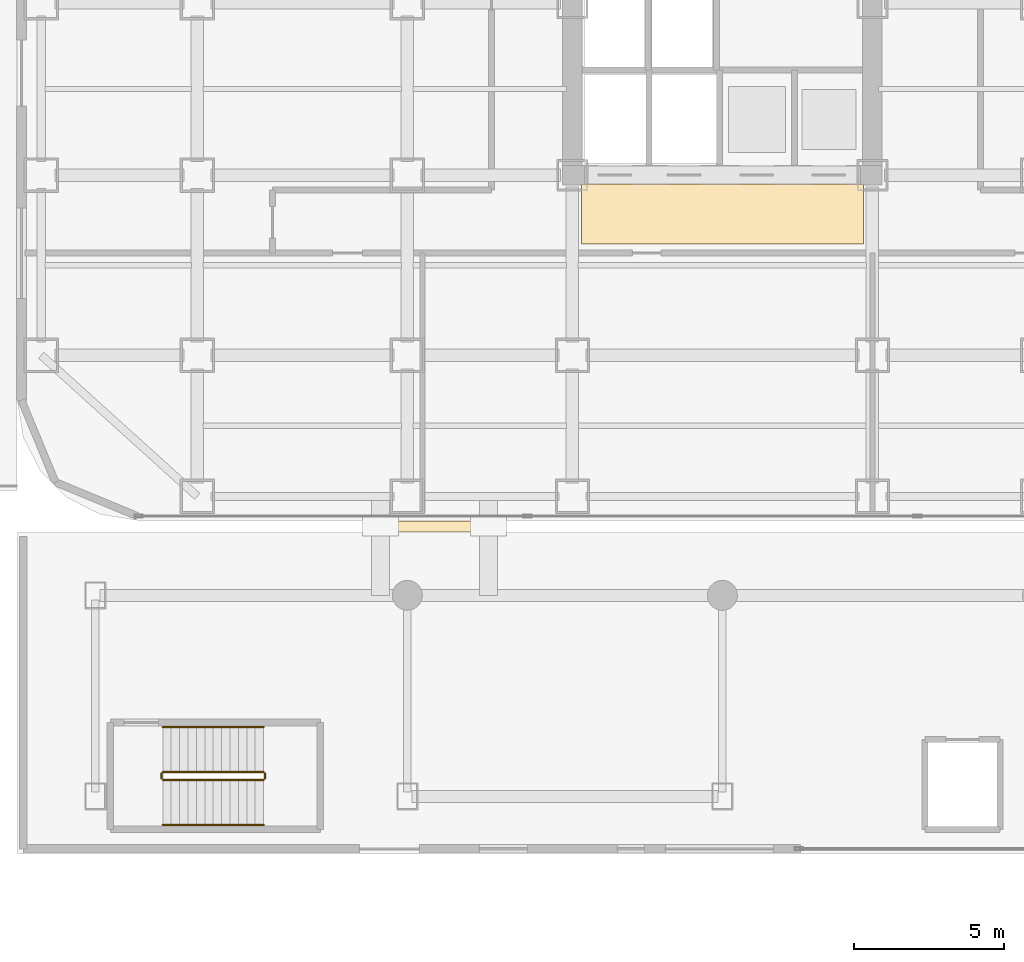
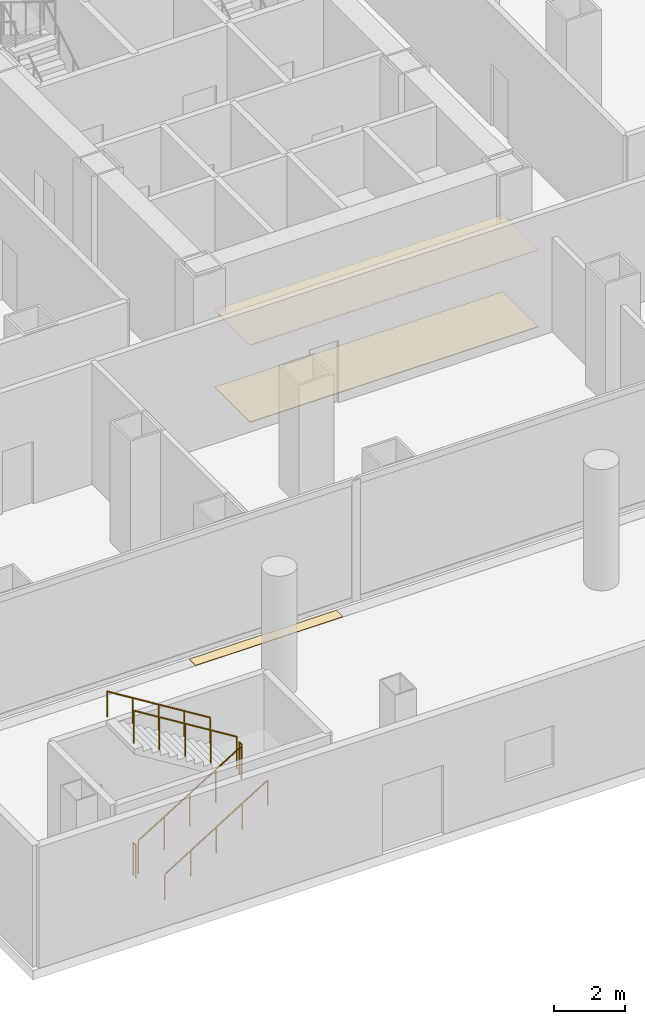
# One storey, part 25 of 31: 6 railings, 3 coverings.
"""IFC4 building model written with IfcOpenShell, lengths in metres."""

from ifc_helpers import new_model, si_unit, direction, frame, origin, origin_2d, place, context, subcontext, project, spatial, polyline, circle, outline, extrude, material, layer, layer_set, type_object, element, save


model = new_model("IFC4")

# Units and contexts
model_context = context("Model", 3, precision=1e-05, world=origin(), true_north=direction((0.0, 1.0)))
body_context = subcontext(model_context, "Body", "Model", "MODEL_VIEW")
ifc_project = project(units=[si_unit("LENGTHUNIT", "METRE"), si_unit("AREAUNIT", "SQUARE_METRE"), si_unit("VOLUMEUNIT", "CUBIC_METRE"), si_unit("PLANEANGLEUNIT", "RADIAN"), si_unit("MASSUNIT", "GRAM", prefix="KILO")], contexts=[model_context])

# Site, building, storey
site_placement = place(None, origin())
site = spatial("IfcSite", under=ifc_project, at=site_placement, CompositionType="ELEMENT")
building_placement = place(site_placement, origin())
building = spatial("IfcBuilding", under=site, at=building_placement, Name="Kolveth Station Tower", CompositionType="ELEMENT")
storey_placement = place(building_placement, origin())
storey = spatial("IfcBuildingStorey", under=building, at=storey_placement, Name="L00", CompositionType="ELEMENT", Elevation=0.0)

# Coverings
ifc_material_1 = material(Name="Acoustic mineral-fibre ceiling tile")
ifc_layer_1 = layer(ifc_material_1, 0.02490234375)
ifc_layer_set_1 = layer_set([ifc_layer_1], Name="Acoustic mineral-fibre ceiling tile")
covering_type_1 = type_object("IfcCoveringType", Name="Ceil_CL1", PredefinedType="CEILING", material=ifc_layer_set_1)
covering_1_placement = place(storey_placement, frame((0.0, 0.0, 2.64990234375)))
element("IfcCovering", 1, at=covering_1_placement, inside=storey, type_object=covering_type_1, Name="L00 Lift Lobby Suspended Ceiling", PredefinedType="CEILING", context=body_context, shape_type="SweptSolid", body=[
    extrude(outline(polyline([(18.800048828125, 9.199951171875), (28.199951171875, 9.199951171875), (28.199951171875, 11.199951171875), (18.800048828125, 11.199951171875), (18.800048828125, 9.199951171875)])), origin(), (0.0, 0.0, 1.0), 0.025146484375),
])
ifc_material_2 = material(Name="Honed terrazzo flooring")
ifc_layer_2 = layer(ifc_material_2, 0.02001953125)
ifc_layer_set_2 = layer_set([ifc_layer_2], Name="Honed terrazzo flooring")
covering_type_2 = type_object("IfcCoveringType", Name="Floor_FL1", PredefinedType="FLOORING", material=ifc_layer_set_2)
covering_2_placement = place(storey_placement, frame((0.0, 0.0, -0.02001953125)))
element("IfcCovering", 2, at=covering_2_placement, inside=storey, type_object=covering_type_2, Name="L00 Seismic Joint Concourse Threshold Flooring 1", PredefinedType="FLOORING", context=body_context, shape_type="SweptSolid", body=[
    extrude(outline(polyline([(11.5, -0.3798828125), (16.300048828125, -0.3798828125), (16.300048828125, -0.02001953125), (11.5, -0.02001953125), (11.5, -0.3798828125)])), origin(), (0.0, 0.0, 1.0), 0.02001953125),
])
covering_3_placement = place(storey_placement, origin())
element("IfcCovering", 3, at=covering_3_placement, inside=storey, type_object=covering_type_2, Name="L00 Lift Lobby Floor Finish", PredefinedType="FLOORING", context=body_context, shape_type="SweptSolid", body=[
    extrude(outline(polyline([(18.800048828125, 9.199951171875), (28.199951171875, 9.199951171875), (28.199951171875, 11.199951171875), (18.800048828125, 11.199951171875), (18.800048828125, 9.199951171875)])), origin(), (0.0, 0.0, 1.0), 0.02001953125),
])

# Railings
ifc_material_3 = material(Name="Painted Steel S355 balustrade", Category="steel")
railing_type_1 = type_object("IfcRailingType", Name="Guard_GR2", PredefinedType="BALUSTRADE", material=ifc_material_3)
railing_1_placement = place(storey_placement, frame((4.85009765625, -8.64990234375, 0.173095703125)))
element("IfcRailing", 4, at=railing_1_placement, inside=storey, type_object=railing_type_1, Name="L00 ST5 stair guard 1", PredefinedType="BALUSTRADE", context=body_context, shape_type="SweptSolid", body=[
    extrude(circle(Radius=0.02392578125, at=origin_2d()), frame((0.0, 0.0, 1.1259765625), z_axis=(0.850606129759, 0.0, 0.525803396734), x_axis=(0.0, 1.0, 0.0)), (0.0, 0.0, 1.0), 3.949951171875),
    extrude(circle(Radius=0.02099609375, at=origin_2d()), origin(), (0.0, 0.0, 1.0), 1.101806640625),
    extrude(circle(Radius=0.02099609375, at=origin_2d()), frame((0.83984375, 0.0, 0.519287109375)), (0.0, 0.0, 1.0), 1.101806640625),
    extrude(circle(Radius=0.02099609375, at=origin_2d()), frame((1.679931640625, 0.0, 1.03857421875)), (0.0, 0.0, 1.0), 1.101806640625),
    extrude(circle(Radius=0.02099609375, at=origin_2d()), frame((2.52001953125, 0.0, 1.5576171875)), (0.0, 0.0, 1.0), 1.101806640625),
    extrude(circle(Radius=0.02099609375, at=origin_2d()), frame((3.35986328125, 0.0, 2.076904296875)), (0.0, 0.0, 1.0), 1.101806640625),
])
railing_2_placement = place(storey_placement, frame((8.260009765625, -8.60009765625, 2.25)))
element("IfcRailing", 5, at=railing_2_placement, inside=storey, type_object=railing_type_1, Name="L00 ST5 stair guard 2", PredefinedType="BALUSTRADE", context=body_context, shape_type="SweptSolid", body=[
    extrude(circle(Radius=0.02392578125, at=origin_2d()), frame((0.0, 0.0, 1.1259765625), z_axis=(0.0, 1.0, 0.0), x_axis=(-1.0, 0.0, 0.0)), (0.0, 0.0, 1.0), 0.16015625),
    extrude(circle(Radius=0.02099609375, at=origin_2d()), origin(), (0.0, 0.0, 1.0), 1.101806640625),
    extrude(circle(Radius=0.02099609375, at=origin_2d()), frame((0.0, 0.16015625, 0.0)), (0.0, 0.0, 1.0), 1.101806640625),
])
railing_3_placement = place(storey_placement, frame((8.2099609375, -8.389892578125, 2.423095703125)))
element("IfcRailing", 6, at=railing_3_placement, inside=storey, type_object=railing_type_1, Name="L00 ST5 stair guard 3", PredefinedType="BALUSTRADE", context=body_context, shape_type="SweptSolid", body=[
    extrude(circle(Radius=0.02392578125, at=origin_2d()), frame((0.0, 0.0, 1.1259765625), z_axis=(-0.850606129759, 0.0, 0.525803396734), x_axis=(0.0, -1.0, 0.0)), (0.0, 0.0, 1.0), 3.949951171875),
    extrude(circle(Radius=0.02099609375, at=origin_2d()), origin(), (0.0, 0.0, 1.0), 1.101806640625),
    extrude(circle(Radius=0.02099609375, at=origin_2d()), frame((-0.83984375, 0.0, 0.519287109375)), (0.0, 0.0, 1.0), 1.101806640625),
    extrude(circle(Radius=0.02099609375, at=origin_2d()), frame((-1.679931640625, 0.0, 1.03857421875)), (0.0, 0.0, 1.0), 1.101806640625),
    extrude(circle(Radius=0.02099609375, at=origin_2d()), frame((-2.52001953125, 0.0, 1.5576171875)), (0.0, 0.0, 1.0), 1.101806640625),
    extrude(circle(Radius=0.02099609375, at=origin_2d()), frame((-3.35986328125, 0.0, 2.076904296875)), (0.0, 0.0, 1.0), 1.101806640625),
])
railing_4_placement = place(storey_placement, frame((4.800048828125, -8.60009765625, 0.0)))
element("IfcRailing", 7, at=railing_4_placement, inside=storey, type_object=railing_type_1, Name="L00 ST5 stair guard 4", PredefinedType="BALUSTRADE", context=body_context, shape_type="SweptSolid", body=[
    extrude(circle(Radius=0.02392578125, at=origin_2d()), frame((0.0, 0.0, 1.1259765625), z_axis=(0.0, 1.0, 0.0), x_axis=(-1.0, 0.0, 0.0)), (0.0, 0.0, 1.0), 0.16015625),
    extrude(circle(Radius=0.02099609375, at=origin_2d()), origin(), (0.0, 0.0, 1.0), 1.101806640625),
    extrude(circle(Radius=0.02099609375, at=origin_2d()), frame((0.0, 0.16015625, 0.0)), (0.0, 0.0, 1.0), 1.101806640625),
])
ifc_material_4 = material(Name="Brushed stainless steel", Category="steel")
railing_type_2 = type_object("IfcRailingType", Name="Handrail_HR1", PredefinedType="HANDRAIL", material=ifc_material_4)
railing_5_placement = place(storey_placement, frame((4.85009765625, -10.14990234375, 0.173095703125)))
element("IfcRailing", 8, at=railing_5_placement, inside=storey, type_object=railing_type_2, Name="L00 ST5 stair handrail 1", PredefinedType="HANDRAIL", context=body_context, shape_type="SweptSolid", body=[
    extrude(circle(Radius=0.02392578125, at=origin_2d()), frame((0.0, 0.0, 0.8759765625), z_axis=(0.850606129759, 0.0, 0.525803396734), x_axis=(0.0, 1.0, 0.0)), (0.0, 0.0, 1.0), 3.949951171875),
    extrude(circle(Radius=0.02099609375, at=origin_2d()), origin(), (0.0, 0.0, 1.0), 0.851806640625),
    extrude(circle(Radius=0.02099609375, at=origin_2d()), frame((0.83984375, 0.0, 0.519287109375)), (0.0, 0.0, 1.0), 0.851806640625),
    extrude(circle(Radius=0.02099609375, at=origin_2d()), frame((1.679931640625, 0.0, 1.03857421875)), (0.0, 0.0, 1.0), 0.851806640625),
    extrude(circle(Radius=0.02099609375, at=origin_2d()), frame((2.52001953125, 0.0, 1.5576171875)), (0.0, 0.0, 1.0), 0.851806640625),
    extrude(circle(Radius=0.02099609375, at=origin_2d()), frame((3.35986328125, 0.0, 2.076904296875)), (0.0, 0.0, 1.0), 0.851806640625),
])
railing_6_placement = place(storey_placement, frame((8.2099609375, -6.889892578125, 2.423095703125)))
element("IfcRailing", 9, at=railing_6_placement, inside=storey, type_object=railing_type_2, Name="L00 ST5 stair handrail 2", PredefinedType="HANDRAIL", context=body_context, shape_type="SweptSolid", body=[
    extrude(circle(Radius=0.02392578125, at=origin_2d()), frame((0.0, 0.0, 0.8759765625), z_axis=(-0.850606129759, 0.0, 0.525803396734), x_axis=(0.0, -1.0, 0.0)), (0.0, 0.0, 1.0), 3.949951171875),
    extrude(circle(Radius=0.02099609375, at=origin_2d()), origin(), (0.0, 0.0, 1.0), 0.851806640625),
    extrude(circle(Radius=0.02099609375, at=origin_2d()), frame((-0.83984375, 0.0, 0.519287109375)), (0.0, 0.0, 1.0), 0.851806640625),
    extrude(circle(Radius=0.02099609375, at=origin_2d()), frame((-1.679931640625, 0.0, 1.03857421875)), (0.0, 0.0, 1.0), 0.851806640625),
    extrude(circle(Radius=0.02099609375, at=origin_2d()), frame((-2.52001953125, 0.0, 1.5576171875)), (0.0, 0.0, 1.0), 0.851806640625),
    extrude(circle(Radius=0.02099609375, at=origin_2d()), frame((-3.35986328125, 0.0, 2.076904296875)), (0.0, 0.0, 1.0), 0.851806640625),
])

save(model, "model.ifc")
